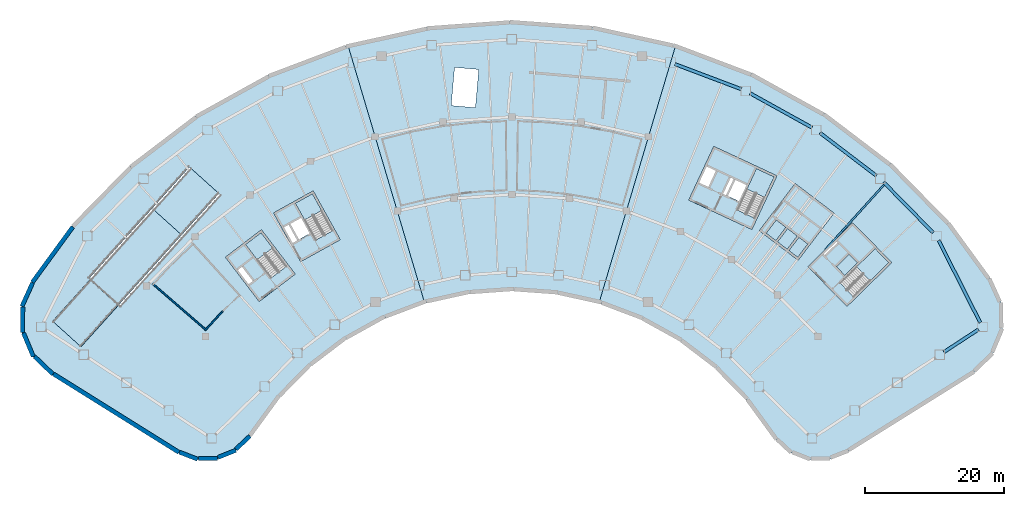
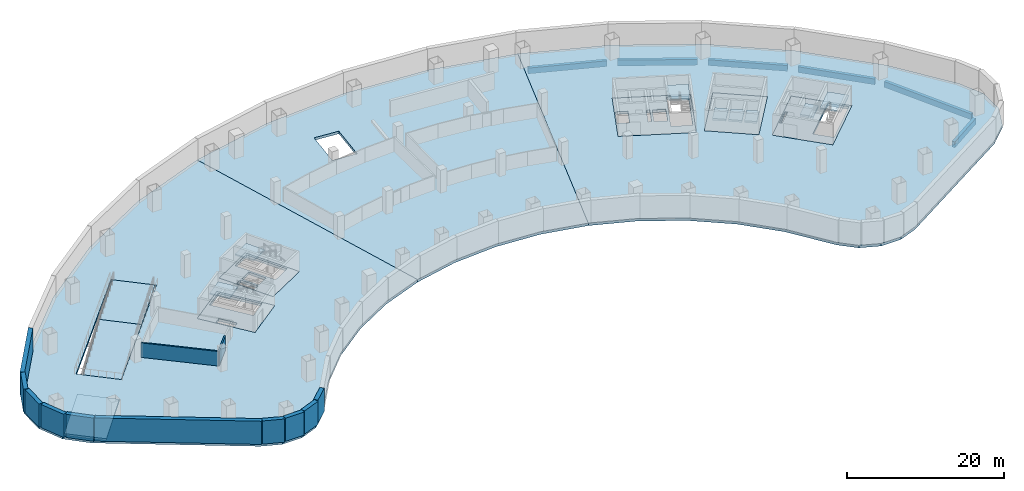
# One storey, part 3 of 10: 19 slabs, 12 walls, 7 beams, 4 elements without a shape of their own.
"""IFC4 building model written with IfcOpenShell, lengths in metres."""

from ifc_helpers import new_model, si_unit, direction, frame, frame_2d, origin, origin_2d, place, context, subcontext, project, spatial, polyline, rectangle, hollow_rectangle, i_section, outline, extrude, material, layer, layer_set, material_profile, profile_set, type_object, element, aggregate, save


model = new_model("IFC4")

# Units and contexts
model_context = context("Model", 3, precision=1e-05, world=origin(), true_north=direction((0.0, 1.0)))
body_context = subcontext(model_context, "Body", "Model", "MODEL_VIEW")
ifc_project = project(units=[si_unit("LENGTHUNIT", "METRE"), si_unit("AREAUNIT", "SQUARE_METRE"), si_unit("VOLUMEUNIT", "CUBIC_METRE"), si_unit("PLANEANGLEUNIT", "RADIAN"), si_unit("MASSUNIT", "GRAM", prefix="KILO")], contexts=[model_context])

# Site, building, storey
site_placement = place(None, origin())
site = spatial("IfcSite", under=ifc_project, at=site_placement, CompositionType="ELEMENT")
building_placement = place(site_placement, origin())
building = spatial("IfcBuilding", under=site, at=building_placement, Name="Tuul Gate Civic Tower", CompositionType="ELEMENT")
storey_placement = place(building_placement, frame((0.0, 0.0, -8.10009765625)))
storey = spatial("IfcBuildingStorey", under=building, at=storey_placement, Name="Basement 2", CompositionType="ELEMENT", Elevation=-8.10009765625)

# Beams
ifc_material_1 = material(Name="Steel S355", Category="steel")
ifc_material_profile_1 = material_profile(ifc_material_1, i_section(OverallWidth=0.25, OverallDepth=0.64990234375, WebThickness=0.011962890625, FlangeThickness=0.02001953125, at=origin_2d()), Name="PG650x250x12x20")
ifc_profile_set_1 = profile_set([ifc_material_profile_1], Name="Steel S355")
beam_type_1 = type_object("IfcBeamType", Name="STR-FLOOR BEAM-PG650x250x12x20", PredefinedType="BEAM", material=ifc_profile_set_1)
beam_1_placement = place(storey_placement, frame((45.019775390625, -10.267578125, -0.724853515625), z_axis=(0.671117634609, 0.741350875441, 0.0), x_axis=(-0.741350875441, 0.671117634609, 0.0)))
element("IfcBeam", 1, at=beam_1_placement, inside=storey, type_object=beam_type_1, Name="Floor beam", PredefinedType="BEAM", context=body_context, shape_type="SweptSolid", body=[
    extrude(i_section(OverallWidth=0.25, OverallDepth=0.64990234375, WebThickness=0.011962890625, FlangeThickness=0.02001953125, at=origin_2d()), origin(), (0.0, 0.0, 1.0), 12.51416015625),
])
ifc_material_2 = material(Name="Steel S355", Category="steel")
ifc_material_profile_2 = material_profile(ifc_material_2, hollow_rectangle(XDim=0.449951171875, YDim=0.89990234375, WallThickness=0.02490234375, at=origin_2d()), Name="BOX900x450x25")
ifc_profile_set_2 = profile_set([ifc_material_profile_2], Name="Steel S355")
beam_type_2 = type_object("IfcBeamType", Name="STR-SPANDREL BEAM-BOX900x450x25", PredefinedType="BEAM", material=ifc_profile_set_2)
beam_2_placement = place(storey_placement, frame((67.245849609375, -20.742431640625, -0.849853515625), z_axis=(-0.451678979782, 0.892180530623, 0.0), x_axis=(-0.892180530623, -0.451678979782, 0.0)))
element("IfcBeam", 2, at=beam_2_placement, inside=storey, type_object=beam_type_2, Name="Spandrel beam", PredefinedType="BEAM", context=body_context, shape_type="SweptSolid", body=[
    extrude(hollow_rectangle(XDim=0.449951171875, YDim=0.89990234375, WallThickness=0.02490234375, at=origin_2d()), origin(), (0.0, 0.0, 1.0), 13.214599609375),
])
beam_3_placement = place(storey_placement, frame((60.470947265625, -7.828125, -0.849853515625), z_axis=(-0.700009826077, 0.714133211239, 0.0), x_axis=(-0.714133211239, -0.700009826077, 0.0)))
element("IfcBeam", 3, at=beam_3_placement, inside=storey, type_object=beam_type_2, Name="Spandrel beam", PredefinedType="BEAM", context=body_context, shape_type="SweptSolid", body=[
    extrude(hollow_rectangle(XDim=0.449951171875, YDim=0.89990234375, WallThickness=0.02490234375, at=origin_2d()), origin(), (0.0, 0.0, 1.0), 10.14697265625),
])
for number, where, z_axis, x_axis, name in (
    (4, (52.321044921875, 0.342041015625, -0.849853515625), (-0.795616160285, 0.605801060987, 0.0), (-0.605801060987, -0.795616160285, 0.0), "Spandrel beam"),
    (5, (43.078857421875, 7.25244140625, -0.849853515625), (-0.874621074476, 0.484807153497, 0.0), (-0.484807153497, -0.874621074476, 0.0), "Spandrel beam"),
):
    element("IfcBeam", number, at=place(storey_placement, frame(where, z_axis=z_axis, x_axis=x_axis)), inside=storey, type_object=beam_type_2, Name=name, PredefinedType="BEAM", context=body_context, shape_type="SweptSolid", body=[
        extrude(hollow_rectangle(XDim=0.449951171875, YDim=0.89990234375, WallThickness=0.02490234375, at=origin_2d()), origin(), (0.0, 0.0, 1.0), 10.146728515625),
    ])
beam_4_placement = place(storey_placement, frame((32.937255859375, 12.758544921875, -0.849853515625), z_axis=(-0.935355549891, 0.353708913215, 0.0), x_axis=(-0.353708913215, -0.935355549891, 0.0)))
element("IfcBeam", 6, at=beam_4_placement, inside=storey, type_object=beam_type_2, Name="Spandrel beam", PredefinedType="BEAM", context=body_context, shape_type="SweptSolid", body=[
    extrude(hollow_rectangle(XDim=0.449951171875, YDim=0.89990234375, WallThickness=0.02490234375, at=origin_2d()), origin(), (0.0, 0.0, 1.0), 10.146484375),
])
beam_5_placement = place(storey_placement, frame((62.03271484375, -24.985595703125, -0.849853515625), z_axis=(0.836737319566, 0.547604472265, 0.0), x_axis=(-0.547604472265, 0.836737319566, 0.0)))
element("IfcBeam", 7, at=beam_5_placement, inside=storey, type_object=beam_type_2, Name="Spandrel beam", PredefinedType="BEAM", context=body_context, shape_type="SweptSolid", body=[
    extrude(hollow_rectangle(XDim=0.449951171875, YDim=0.89990234375, WallThickness=0.02490234375, at=origin_2d()), origin(), (0.0, 0.0, 1.0), 5.908203125),
])

# Slabs
ifc_material_3 = material(Name="Concrete C40/50", Category="concrete")
ifc_layer_1 = layer(ifc_material_3, 0.39990234375)
ifc_layer_set_1 = layer_set([ifc_layer_1], Name="Concrete C40/50")
slab_type_1 = type_object("IfcSlabType", Name="Core floor slab 400", PredefinedType="FLOOR", material=ifc_layer_set_1)
slab_1_placement = place(storey_placement, frame((0.0, 0.0, -0.400146484375)))
element("IfcSlab", 8, at=slab_1_placement, inside=storey, type_object=slab_type_1, Name="FLOOR SLAB", PredefinedType="FLOOR", context=body_context, shape_type="SweptSolid", body=[
    extrude(outline(polyline([(-31.10009765625, -13.7890625), (-35.946044921875, -7.423828125), (-41.11767578125, -11.361572265625), (-36.271484375, -17.726806640625), (-31.10009765625, -13.7890625)]), holes=[polyline([(-37.19287109375, -14.783203125), (-38.737548828125, -12.75439453125), (-39.45361328125, -13.299560546875), (-37.908935546875, -15.328369140625), (-37.19287109375, -14.783203125)]), polyline([(-32.33935546875, -12.65771484375), (-34.56591796875, -14.352783203125), (-38.229736328125, -9.54052734375), (-36.003173828125, -7.845458984375), (-32.33935546875, -12.65771484375)])]), origin(), (0.0, 0.0, 1.0), 0.400146484375),
])
slab_2_placement = place(storey_placement, frame((0.0, 0.0, -0.400146484375)))
element("IfcSlab", 9, at=slab_2_placement, inside=storey, type_object=slab_type_1, Name="FLOOR SLAB", PredefinedType="FLOOR", context=body_context, shape_type="SweptSolid", body=[
    extrude(outline(polyline([(-24.638916015625, -8.846923828125), (-28.51708984375, -1.849853515625), (-34.2021484375, -5.0009765625), (-30.32421875, -11.998046875), (-24.638916015625, -8.846923828125)]), holes=[polyline([(-29.0185546875, -7.958740234375), (-30.254638671875, -5.728515625), (-31.785400390625, -6.576904296875), (-30.54931640625, -8.80712890625), (-29.0185546875, -7.958740234375)]), polyline([(-30.8115234375, -8.95263671875), (-32.047607421875, -6.72216796875), (-32.8349609375, -7.158447265625), (-31.5986328125, -9.388916015625), (-30.8115234375, -8.95263671875)]), polyline([(-25.702392578125, -7.548828125), (-28.14990234375, -8.905517578125), (-31.08203125, -3.615234375), (-28.63427734375, -2.2587890625), (-25.702392578125, -7.548828125)])]), origin(), (0.0, 0.0, 1.0), 0.400146484375),
])
slab_3_placement = place(storey_placement, frame((0.0, 0.0, -0.400146484375)))
element("IfcSlab", 10, at=slab_3_placement, inside=storey, type_object=slab_type_1, Name="FLOOR SLAB", PredefinedType="FLOOR", context=body_context, shape_type="SweptSolid", body=[
    extrude(outline(polyline([(48.117919921875, -18.43310546875), (54.545166015625, -12.1328125), (48.945068359375, -6.419921875), (42.517822265625, -12.719970703125), (48.117919921875, -18.43310546875)]), holes=[polyline([(44.93896484375, -11.046875), (46.760009765625, -9.261962890625), (46.514892578125, -9.011962890625), (44.69384765625, -10.797119140625), (44.93896484375, -11.046875)]), polyline([(49.086181640625, -17.062744140625), (47.12744140625, -15.064208984375), (52.160888671875, -10.130126953125), (54.11962890625, -12.128662109375), (49.086181640625, -17.062744140625)])]), origin(), (0.0, 0.0, 1.0), 0.400146484375),
])
slab_4_placement = place(storey_placement, frame((0.0, 0.0, -0.400146484375)))
element("IfcSlab", 11, at=slab_4_placement, inside=storey, type_object=slab_type_1, Name="FLOOR SLAB", PredefinedType="FLOOR", context=body_context, shape_type="SweptSolid", body=[
    extrude(outline(polyline([(34.465087890625, -7.385986328125), (38.056884765625, 0.31787109375), (28.993896484375, 4.543701171875), (25.40185546875, -3.159912109375), (34.465087890625, -7.385986328125)]), holes=[polyline([(32.60888671875, -3.32080078125), (33.6865234375, -1.009765625), (32.1005859375, -0.27001953125), (31.02294921875, -2.581298828125), (32.60888671875, -3.32080078125)]), polyline([(30.751220703125, -2.454345703125), (31.82861328125, -0.143310546875), (31.4208984375, 0.046875), (30.34326171875, -2.264404296875), (30.751220703125, -2.454345703125)]), polyline([(28.21337890625, -1.27099609375), (29.291015625, 1.0400390625), (27.8408203125, 1.71630859375), (26.76318359375, -0.594970703125), (28.21337890625, -1.27099609375)]), polyline([(34.889892578125, -5.7626953125), (32.353759765625, -4.580078125), (35.120849609375, 1.354736328125), (37.6572265625, 0.17236328125), (34.889892578125, -5.7626953125)])]), origin(), (0.0, 0.0, 1.0), 0.400146484375),
])
ifc_material_4 = material(Name="Concrete C40/50", Category="concrete")
ifc_layer_2 = layer(ifc_material_4, 0.39990234375)
ifc_layer_set_2 = layer_set([ifc_layer_2], Name="Concrete C40/50")
slab_type_2 = type_object("IfcSlabType", Name="Core floor slab 400 non-bearing", PredefinedType="FLOOR", material=ifc_layer_set_2)
slab_5_placement = place(storey_placement, frame((0.0, 0.0, -0.400146484375)))
element("IfcSlab", 12, at=slab_5_placement, inside=storey, type_object=slab_type_2, Name="FLOOR SLAB", PredefinedType="FLOOR", context=body_context, shape_type="SweptSolid", body=[
    extrude(outline(polyline([(41.10107421875, -11.797119140625), (46.25, -5.033935546875), (40.680908203125, -0.79296875), (35.531982421875, -7.555908203125), (41.10107421875, -11.797119140625)])), origin(), (0.0, 0.0, 1.0), 0.400146484375),
])

# Stair, slab
ifc_material_5 = material(Name="Concrete C40/50", Category="concrete")
stair_type = type_object("IfcStairType", Name="Exit stair", PredefinedType="HALF_TURN_STAIR", material=ifc_material_5)
stair_1_placement = place(storey_placement, origin())
stair_1 = element("IfcStair", 13, at=stair_1_placement, inside=storey, type_object=stair_type, Name="Basement 2 ST-1", PredefinedType="HALF_TURN_STAIR")
ifc_material_6 = material(Name="Concrete C40/50", Category="concrete")
ifc_layer_3 = layer(ifc_material_6, 0.199951171875)
ifc_layer_set_3 = layer_set([ifc_layer_3], Name="Concrete C40/50")
slab_type_3 = type_object("IfcSlabType", Name="Exit stair landing", PredefinedType="LANDING", material=ifc_layer_set_3)
slab_6_placement = place(storey_placement, frame((0.0, 0.0, 1.60009765625)))
slab_6 = element("IfcSlab", 14, at=slab_6_placement, type_object=slab_type_3, Name="ST-1 landing 1", PredefinedType="LANDING", context=body_context, shape_type="SweptSolid", body=[
    extrude(outline(polyline([(-34.336181640625, -10.032470703125), (-36.565185546875, -11.7294921875), (-38.23193359375, -9.540283203125), (-36.0029296875, -7.843017578125), (-34.336181640625, -10.032470703125)])), origin(), (0.0, 0.0, 1.0), 0.199951171875),
])
aggregate(stair_1, [slab_6])

stair_2_placement = place(storey_placement, origin())
stair_2 = element("IfcStair", 15, at=stair_2_placement, inside=storey, type_object=stair_type, Name="Basement 2 ST-2", PredefinedType="HALF_TURN_STAIR")
slab_7_placement = place(storey_placement, frame((0.0, 0.0, 1.60009765625)))
slab_7 = element("IfcSlab", 16, at=slab_7_placement, type_object=slab_type_3, Name="ST-2 landing 1", PredefinedType="LANDING", context=body_context, shape_type="SweptSolid", body=[
    extrude(outline(polyline([(-27.2998046875, -4.6630859375), (-29.750244140625, -6.021240234375), (-31.084228515625, -3.61474609375), (-28.6337890625, -2.256591796875), (-27.2998046875, -4.6630859375)])), origin(), (0.0, 0.0, 1.0), 0.199951171875),
])
aggregate(stair_2, [slab_7])

stair_3_placement = place(storey_placement, origin())
stair_3 = element("IfcStair", 17, at=stair_3_placement, inside=storey, type_object=stair_type, Name="Basement 2 ST-3", PredefinedType="HALF_TURN_STAIR")
slab_8_placement = place(storey_placement, frame((0.0, 0.0, 1.60009765625)))
slab_8 = element("IfcSlab", 18, at=slab_8_placement, type_object=slab_type_3, Name="ST-3 landing 1", PredefinedType="LANDING", context=body_context, shape_type="SweptSolid", body=[
    extrude(outline(polyline([(51.44287109375, -14.7548828125), (49.481689453125, -12.754150390625), (52.160888671875, -10.1279296875), (54.1220703125, -12.128662109375), (51.44287109375, -14.7548828125)])), origin(), (0.0, 0.0, 1.0), 0.199951171875),
])
aggregate(stair_3, [slab_8])

stair_4_placement = place(storey_placement, origin())
stair_4 = element("IfcStair", 19, at=stair_4_placement, inside=storey, type_object=stair_type, Name="Basement 2 ST-4", PredefinedType="HALF_TURN_STAIR")
slab_9_placement = place(storey_placement, frame((0.0, 0.0, 1.60009765625)))
slab_9 = element("IfcSlab", 20, at=slab_9_placement, type_object=slab_type_3, Name="ST-4 landing 1", PredefinedType="LANDING", context=body_context, shape_type="SweptSolid", body=[
    extrude(outline(polyline([(36.28515625, -2.77392578125), (33.74609375, -1.590087890625), (35.1201171875, 1.35693359375), (37.659423828125, 0.173095703125), (36.28515625, -2.77392578125)])), origin(), (0.0, 0.0, 1.0), 0.199951171875),
])
aggregate(stair_4, [slab_9])

# Slabs
ifc_material_7 = material(Name="Concrete C40/50", Category="concrete")
ifc_layer_4 = layer(ifc_material_7, 0.300048828125)
ifc_layer_set_4 = layer_set([ifc_layer_4], Name="Concrete C40/50")
slab_type_4 = type_object("IfcSlabType", Name="Lift pit floor", PredefinedType="USERDEFINED", material=ifc_layer_set_4)
slab_10_placement = place(storey_placement, frame((0.0, 0.0, 1.5)))
element("IfcSlab", 21, at=slab_10_placement, inside=storey, type_object=slab_type_4, Name="Lift pit floor L1", ObjectType="LIFT PIT FLOOR", PredefinedType="USERDEFINED", context=body_context, shape_type="SweptSolid", body=[
    extrude(outline(polyline([(41.044189453125, -11.37646484375), (42.497802734375, -9.467041015625), (41.22509765625, -8.49755859375), (39.77099609375, -10.4072265625), (41.044189453125, -11.37646484375)])), origin(), (0.0, 0.0, 1.0), 0.300048828125),
])
slab_11_placement = place(storey_placement, frame((0.0, 0.0, 1.5)))
element("IfcSlab", 22, at=slab_11_placement, inside=storey, type_object=slab_type_4, Name="Lift pit floor L2", ObjectType="LIFT PIT FLOOR", PredefinedType="USERDEFINED", context=body_context, shape_type="SweptSolid", body=[
    extrude(outline(polyline([(39.532470703125, -10.225341796875), (40.986328125, -8.31591796875), (39.593994140625, -7.255615234375), (38.14013671875, -9.165283203125), (39.532470703125, -10.225341796875)])), origin(), (0.0, 0.0, 1.0), 0.300048828125),
])
slab_12_placement = place(storey_placement, frame((0.0, 0.0, 1.5)))
element("IfcSlab", 23, at=slab_12_placement, inside=storey, type_object=slab_type_4, Name="Lift pit floor L3", ObjectType="LIFT PIT FLOOR", PredefinedType="USERDEFINED", context=body_context, shape_type="SweptSolid", body=[
    extrude(outline(polyline([(37.901611328125, -8.9833984375), (39.35546875, -7.073974609375), (37.963134765625, -6.013671875), (36.50927734375, -7.923095703125), (37.901611328125, -8.9833984375)])), origin(), (0.0, 0.0, 1.0), 0.300048828125),
])
slab_13_placement = place(storey_placement, frame((0.0, 0.0, 1.5)))
element("IfcSlab", 24, at=slab_13_placement, inside=storey, type_object=slab_type_4, Name="Lift pit floor L4", ObjectType="LIFT PIT FLOOR", PredefinedType="USERDEFINED", context=body_context, shape_type="SweptSolid", body=[
    extrude(outline(polyline([(47.808837890625, -13.974853515625), (49.6298828125, -12.18994140625), (48.40478515625, -10.940185546875), (46.583984375, -12.72509765625), (47.808837890625, -13.974853515625)])), origin(), (0.0, 0.0, 1.0), 0.300048828125),
])
ifc_material_8 = material(Name="Concrete C40/50", Category="concrete")
ifc_layer_5 = layer(ifc_material_8, 0.300048828125)
ifc_layer_set_5 = layer_set([ifc_layer_5], Name="Concrete C40/50")
slab_type_5 = type_object("IfcSlabType", Name="Ramp slab", PredefinedType="LANDING", material=ifc_layer_set_5)
slab_14_placement = place(storey_placement, frame((-42.036865234375, -2.2333984375, 0.000244140625), z_axis=(-0.055583843537, -0.061734424074, 0.996543675521), x_axis=(-0.666813828516, -0.740579918255, -0.083070468742)))
element("IfcSlab", 25, at=slab_14_placement, inside=storey, type_object=slab_type_5, Name="Vehicle ramp slab R3.1", PredefinedType="LANDING", context=body_context, shape_type="SweptSolid", body=[
    extrude(outline(polyline([(0.0, 0.0), (8.02923346410686, -3.4332617044469105e-16), (8.029305590385318, -5.500050153897676), (7.212627845820663e-05, -5.500050153897675), (0.0, 0.0)])), origin(), (0.083070468742, 1.089365e-06, -0.996543675521), 0.300048828125),
])
slab_15_placement = place(storey_placement, frame((-47.389892578125, -8.178466796875, -0.66650390625), z_axis=(-0.110001647055, -0.122166080081, 0.986394995183), x_axis=(-0.660022890004, -0.733038110335, -0.164392559041)))
element("IfcSlab", 26, at=slab_15_placement, inside=storey, type_object=slab_type_5, Name="Vehicle ramp slab R3.2", PredefinedType="LANDING", context=body_context, shape_type="SweptSolid", body=[
    extrude(outline(polyline([(0.0, 0.0), (13.789393337239389, -2.2283742776366133e-17), (13.789123241598547, -5.500032082174748), (7.000714244442818e-05, -5.500050153852039), (0.0, 0.0)])), origin(), (0.164392559041, -2.990256e-06, -0.986394995183), 0.300048828125),
])
slab_16_placement = place(storey_placement, frame((-56.489990234375, -18.285400390625, -2.93310546875), z_axis=(-0.055563991552, -0.061710532345, 0.996546262368), x_axis=(-0.666832351545, -0.740566720814, -0.083039430131)))
element("IfcSlab", 27, at=slab_16_placement, inside=storey, type_object=slab_type_5, Name="Vehicle ramp slab R3.3", PredefinedType="LANDING", context=body_context, shape_type="SweptSolid", body=[
    extrude(outline(polyline([(0.0, 0.0), (8.029375985731239, 5.221466840713354e-16), (8.029409591116439, -5.499868721805612), (0.00019640625227479447, -5.500050150859592), (0.0, 0.0)])), origin(), (0.083039430131, 1.73638e-06, -0.996546262368), 0.300048828125),
])
ifc_material_9 = material(Name="Concrete C35/45", Category="concrete")
ifc_layer_6 = layer(ifc_material_9, 0.39990234375)
ifc_layer_set_6 = layer_set([ifc_layer_6], Name="Concrete C35/45")
slab_type_6 = type_object("IfcSlabType", Name="STR-FLOOR-SLAB-400", PredefinedType="FLOOR", material=ifc_layer_set_6)
slab_17_placement = place(storey_placement, frame((0.0, 0.0, -0.400146484375)))
element("IfcSlab", 28, at=slab_17_placement, inside=storey, type_object=slab_type_6, Name="Basement 2/slab/W", PredefinedType="FLOOR", context=body_context, shape_type="SweptSolid", body=[
    extrude(outline(polyline([(-18.4619140625, -20.14892578125), (-12.52587890625, -17.904052734375), (-23.535888671875, 19.093017578125), (-34.68798828125, 14.8759765625), (-45.116943359375, 9.095947265625), (-54.60302734375, 1.873046875), (-62.948974609375, -6.64208984375), (-68.8310546875, -14.695068359375), (-70.39208984375, -18.14111328125), (-70.447998046875, -21.924072265625), (-68.988037109375, -25.4150390625), (-66.256103515625, -28.031982421875), (-48.069091796875, -39.39697265625), (-45.388916015625, -40.43994140625), (-42.512939453125, -40.429931640625), (-39.840087890625, -39.367919921875), (-37.739990234375, -37.402099609375), (-33.50390625, -31.60107421875), (-29.06103515625, -27.070068359375), (-24.011962890625, -23.22509765625), (-18.4619140625, -20.14892578125)]), holes=[polyline([(-31.10009765625, -13.7890625), (-36.27197265625, -17.72705078125), (-41.117919921875, -11.362060546875), (-35.946044921875, -7.424072265625), (-31.10009765625, -13.7890625)]), polyline([(-60.5830078125, -14.31298828125), (-46.27294921875, 1.580078125), (-41.888916015625, -2.367919921875), (-56.198974609375, -18.260986328125), (-60.5830078125, -14.31298828125)]), polyline([(-30.323974609375, -11.998046875), (-34.201904296875, -5.0009765625), (-28.51708984375, -1.85009765625), (-24.638916015625, -8.846923828125), (-30.323974609375, -11.998046875)])]), origin(), (0.0, 0.0, 1.0), 0.400146484375),
])
slab_18_placement = place(storey_placement, frame((0.0, 0.0, -0.400146484375)))
element("IfcSlab", 29, at=slab_18_placement, inside=storey, type_object=slab_type_6, Name="Basement 2/slab/M", PredefinedType="FLOOR", context=body_context, shape_type="SweptSolid", body=[
    extrude(outline(polyline([(12.52587890625, -17.904052734375), (23.535888671875, 19.093017578125), (11.89208984375, 21.659912109375), (0.0, 22.52099609375), (-11.89208984375, 21.659912109375), (-23.535888671875, 19.093017578125), (-12.52587890625, -17.904052734375), (-6.3291015625, -16.5380859375), (0.0, -16.080078125), (6.3291015625, -16.5380859375), (12.52587890625, -17.904052734375)]), holes=[polyline([(-8.217041015625, 15.886962890625), (-4.75, 15.583984375), (-5.22998046875, 10.10498046875), (-8.697021484375, 10.407958984375), (-8.217041015625, 15.886962890625)])]), origin(), (0.0, 0.0, 1.0), 0.400146484375),
])
slab_19_placement = place(storey_placement, frame((0.0, 0.0, -0.400146484375)))
element("IfcSlab", 30, at=slab_19_placement, inside=storey, type_object=slab_type_6, Name="Basement 2/slab/E", PredefinedType="FLOOR", context=body_context, shape_type="SweptSolid", body=[
    extrude(outline(polyline([(45.388916015625, -40.43994140625), (48.069091796875, -39.39697265625), (66.256103515625, -28.031982421875), (68.988037109375, -25.4150390625), (70.447998046875, -21.924072265625), (70.39208984375, -18.14111328125), (68.8310546875, -14.695068359375), (62.948974609375, -6.64208984375), (54.60302734375, 1.873046875), (45.116943359375, 9.095947265625), (34.68798828125, 14.8759765625), (23.535888671875, 19.093017578125), (12.52587890625, -17.904052734375), (18.4619140625, -20.14892578125), (24.011962890625, -23.22509765625), (29.06103515625, -27.070068359375), (33.50390625, -31.60107421875), (37.739990234375, -37.402099609375), (39.840087890625, -39.367919921875), (42.512939453125, -40.429931640625), (45.388916015625, -40.43994140625)]), holes=[polyline([(42.51806640625, -12.719970703125), (48.945068359375, -6.419921875), (54.544921875, -12.133056640625), (48.117919921875, -18.43310546875), (42.51806640625, -12.719970703125)]), polyline([(35.531982421875, -7.555908203125), (40.680908203125, -0.79296875), (46.25, -5.033935546875), (41.10107421875, -11.797119140625), (35.531982421875, -7.555908203125)]), polyline([(25.402099609375, -3.159912109375), (28.993896484375, 4.5439453125), (38.056884765625, 0.318115234375), (34.465087890625, -7.385986328125), (25.402099609375, -3.159912109375)])]), origin(), (0.0, 0.0, 1.0), 0.400146484375),
])

# Walls
ifc_material_10 = material(Name="Concrete block", Category="concrete")
ifc_layer_7 = layer(ifc_material_10, 0.199951171875)
ifc_layer_set_7 = layer_set([ifc_layer_7], Name="Concrete block")
wall_type_1 = type_object("IfcWallType", Name="Basement room wall EI 120", PredefinedType="PARTITIONING", material=ifc_layer_set_7)
wall_1_placement = place(storey_placement, frame((-41.534423828125, -19.14599609375, 0.0), z_axis=(0.0, 0.0, 1.0), x_axis=(-0.678409786411, -0.734683715418, 0.0)))
element("IfcWall", 31, at=wall_1_placement, inside=storey, type_object=wall_type_1, Name="Room wall", PredefinedType="PARTITIONING", context=body_context, shape_type="SweptSolid", body=[
    extrude(rectangle(XDim=3.674560546875, YDim=0.199951171875, at=frame_2d((1.83740234375, 0.0))), origin(), (0.0, 0.0, 1.0), 2.25),
])
wall_2_placement = place(storey_placement, frame((-43.884033203125, -21.837890625, 0.0), z_axis=(0.0, 0.0, 1.0), x_axis=(-0.754576981517, 0.656211535227, 0.0)))
element("IfcWall", 32, at=wall_2_placement, inside=storey, type_object=wall_type_1, Name="Room wall", PredefinedType="PARTITIONING", context=body_context, shape_type="SweptSolid", body=[
    extrude(rectangle(XDim=10.12890625, YDim=0.199951171875, at=frame_2d((5.064453125, 0.0))), origin(), (0.0, 0.0, 1.0), 2.25),
])
ifc_material_11 = material(Name="Concrete C40/50", Category="concrete")
ifc_layer_8 = layer(ifc_material_11, 0.60009765625)
ifc_layer_set_8 = layer_set([ifc_layer_8], Name="Concrete C40/50")
wall_type_2 = type_object("IfcWallType", Name="STR-BASEMENT-WALL-600", PredefinedType="SOLIDWALL", material=ifc_layer_set_8)
wall_3_placement = place(storey_placement, frame((-63.036376953125, -7.014892578125, 0.0), z_axis=(0.0, 0.0, 1.0), x_axis=(-0.589717467002, -0.807609626684, 0.0)))
element("IfcWall", 33, at=wall_3_placement, inside=storey, type_object=wall_type_2, Name="Retaining wall", PredefinedType="SOLIDWALL", context=body_context, shape_type="SweptSolid", body=[
    extrude(rectangle(XDim=9.844482421875, YDim=0.60009765625, at=frame_2d((4.92236328125, 0.0))), origin(), (0.0, 0.0, 1.0), 3.60009765625),
])
wall_4_placement = place(storey_placement, frame((-68.81201171875, -15.04736328125, 0.0), z_axis=(0.0, 0.0, 1.0), x_axis=(-0.413006193116, -0.910728216565, 0.0)))
element("IfcWall", 34, at=wall_4_placement, inside=storey, type_object=wall_type_2, Name="Retaining wall", PredefinedType="SOLIDWALL", context=body_context, shape_type="SweptSolid", body=[
    extrude(rectangle(XDim=3.694580078125, YDim=0.60009765625, at=frame_2d((1.84716796875, 0.0))), origin(), (0.0, 0.0, 1.0), 3.60009765625),
])
wall_5_placement = place(storey_placement, frame((-70.2197265625, -18.53515625, 0.0), z_axis=(0.0, 0.0, 1.0), x_axis=(-0.014360576456, -0.999896881605, 0.0)))
element("IfcWall", 35, at=wall_5_placement, inside=storey, type_object=wall_type_2, Name="Retaining wall", PredefinedType="SOLIDWALL", context=body_context, shape_type="SweptSolid", body=[
    extrude(rectangle(XDim=3.6552734375, YDim=0.60009765625, at=frame_2d((1.82763671875, 0.0))), origin(), (0.0, 0.0, 1.0), 3.60009765625),
])
wall_6_placement = place(storey_placement, frame((-70.115234375, -22.255126953125, 0.0), z_axis=(0.0, 0.0, 1.0), x_axis=(0.385800961198, -0.922582038812, 0.0)))
element("IfcWall", 36, at=wall_6_placement, inside=storey, type_object=wall_type_2, Name="Retaining wall", PredefinedType="SOLIDWALL", context=body_context, shape_type="SweptSolid", body=[
    extrude(rectangle(XDim=3.654541015625, YDim=0.60009765625, at=frame_2d((1.8271484375, 0.0))), origin(), (0.0, 0.0, 1.0), 3.60009765625),
])
wall_7_placement = place(storey_placement, frame((-68.534912109375, -25.6240234375, 0.0), z_axis=(0.0, 0.0, 1.0), x_axis=(0.722138330628, -0.691748676499, 0.0)))
element("IfcWall", 37, at=wall_7_placement, inside=storey, type_object=wall_type_2, Name="Retaining wall", PredefinedType="SOLIDWALL", context=body_context, shape_type="SweptSolid", body=[
    extrude(rectangle(XDim=3.6552734375, YDim=0.60009765625, at=frame_2d((1.82763671875, 0.0))), origin(), (0.0, 0.0, 1.0), 3.60009765625),
])
wall_8_placement = place(storey_placement, frame((-65.809814453125, -28.1337890625, 0.0), z_axis=(0.0, 0.0, 1.0), x_axis=(0.848038340643, -0.529934875999, 0.0)))
element("IfcWall", 38, at=wall_8_placement, inside=storey, type_object=wall_type_2, Name="Retaining wall", PredefinedType="SOLIDWALL", context=body_context, shape_type="SweptSolid", body=[
    extrude(rectangle(XDim=21.23876953125, YDim=0.60009765625, at=frame_2d((10.619384765625, 0.0))), origin(), (0.0, 0.0, 1.0), 3.60009765625),
])
wall_9_placement = place(storey_placement, frame((-47.724853515625, -39.357666015625, 0.0), z_axis=(0.0, 0.0, 1.0), x_axis=(0.931985018109, -0.362496794497, 0.0)))
element("IfcWall", 39, at=wall_9_placement, inside=storey, type_object=wall_type_2, Name="Retaining wall", PredefinedType="SOLIDWALL", context=body_context, shape_type="SweptSolid", body=[
    extrude(rectangle(XDim=2.797607421875, YDim=0.60009765625, at=frame_2d((1.39892578125, 0.0))), origin(), (0.0, 0.0, 1.0), 3.60009765625),
])
wall_10_placement = place(storey_placement, frame((-45.0068359375, -40.26171875, 0.0), z_axis=(0.0, 0.0, 1.0), x_axis=(0.999995206655, 0.003096234274, 0.0)))
element("IfcWall", 40, at=wall_10_placement, inside=storey, type_object=wall_type_2, Name="Retaining wall", PredefinedType="SOLIDWALL", context=body_context, shape_type="SweptSolid", body=[
    extrude(rectangle(XDim=2.759765625, YDim=0.60009765625, at=frame_2d((1.3798828125, 0.0))), origin(), (0.0, 0.0, 1.0), 3.60009765625),
])
wall_11_placement = place(storey_placement, frame((-42.184326171875, -40.10986328125, 0.0), z_axis=(0.0, 0.0, 1.0), x_axis=(0.929413190064, 0.369040813643, 0.0)))
element("IfcWall", 41, at=wall_11_placement, inside=storey, type_object=wall_type_2, Name="Retaining wall", PredefinedType="SOLIDWALL", context=body_context, shape_type="SweptSolid", body=[
    extrude(rectangle(XDim=2.760009765625, YDim=0.60009765625, at=frame_2d((1.3798828125, 0.0))), origin(), (0.0, 0.0, 1.0), 3.60009765625),
])
wall_12_placement = place(storey_placement, frame((-39.61328125, -38.935302734375, 0.0), z_axis=(0.0, 0.0, 1.0), x_axis=(0.729851482582, 0.683605744105, 0.0)))
element("IfcWall", 42, at=wall_12_placement, inside=storey, type_object=wall_type_2, Name="Retaining wall", PredefinedType="SOLIDWALL", context=body_context, shape_type="SweptSolid", body=[
    extrude(rectangle(XDim=2.760986328125, YDim=0.60009765625, at=frame_2d((1.38037109375, 0.0))), origin(), (0.0, 0.0, 1.0), 3.60009765625),
])

save(model, "model.ifc")
